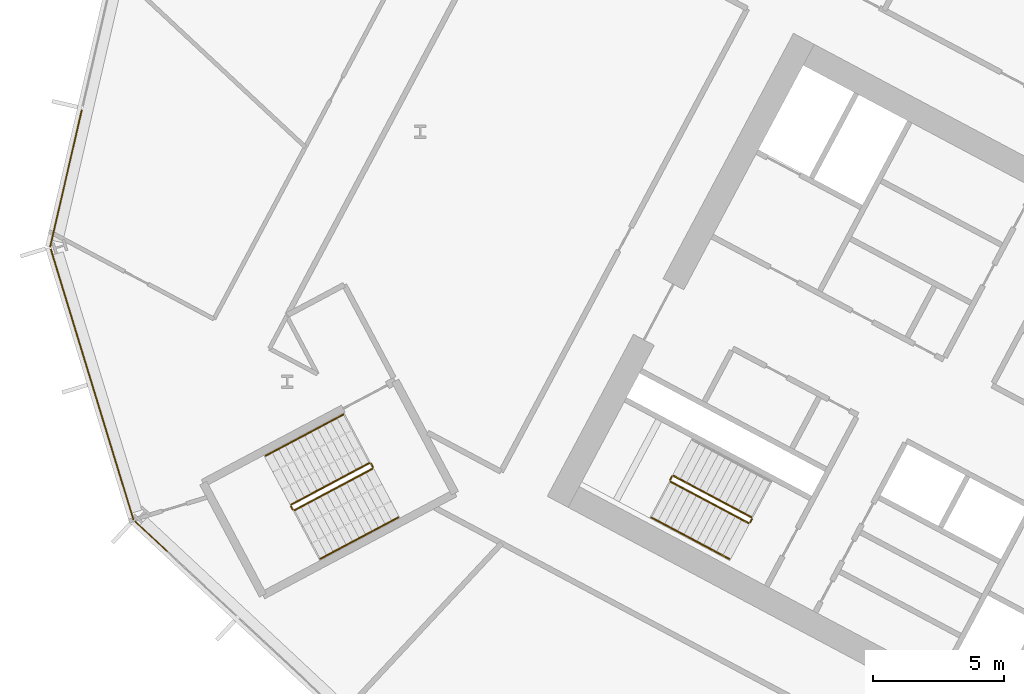
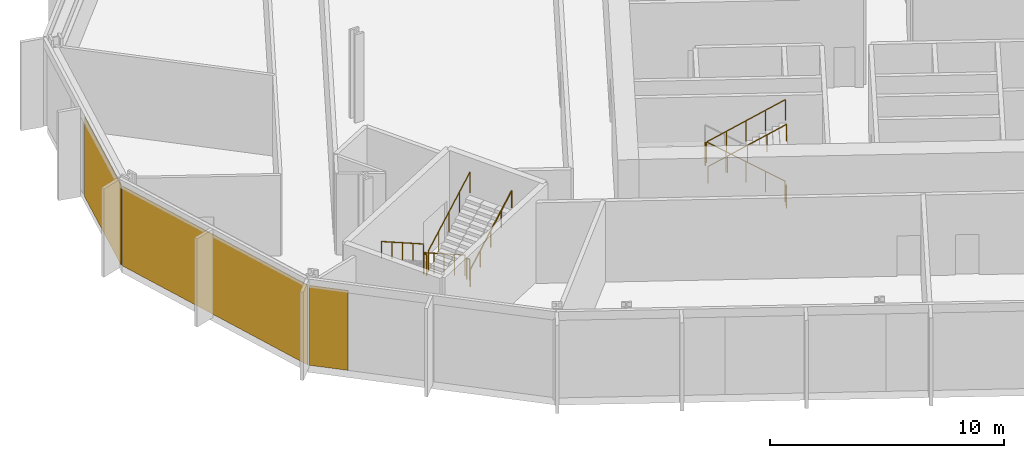
# One storey, part 23 of 32: 11 railings, 3 coverings, 3 elements without a shape of their own.
"""IFC4 building model written with IfcOpenShell, lengths in metres."""

from ifc_helpers import new_model, si_unit, direction, frame, origin, origin_2d, place, context, subcontext, project, spatial, polyline, rectangle, outline, extrude, material, layer, layer_set, type_object, element, aggregate, save


model = new_model("IFC4")

# Units and contexts
model_context = context("Model", 3, precision=1e-05, world=origin(), true_north=direction((0.0, 1.0)))
body_context = subcontext(model_context, "Body", "Model", "MODEL_VIEW")
ifc_project = project(units=[si_unit("LENGTHUNIT", "METRE"), si_unit("AREAUNIT", "SQUARE_METRE"), si_unit("VOLUMEUNIT", "CUBIC_METRE"), si_unit("PLANEANGLEUNIT", "RADIAN"), si_unit("MASSUNIT", "GRAM", prefix="KILO")], contexts=[model_context])

# Site, building, storey
site_placement = place(None, origin())
site = spatial("IfcSite", under=ifc_project, at=site_placement, CompositionType="ELEMENT")
building_placement = place(site_placement, origin())
building = spatial("IfcBuilding", under=site, at=building_placement, Name="Cormorant Relay Tower", CompositionType="ELEMENT")
storey_placement = place(building_placement, frame((0.0, 0.0, 70.800048828125)))
storey = spatial("IfcBuildingStorey", under=building, at=storey_placement, Name="L13", CompositionType="ELEMENT", Elevation=70.800048828125)

# Curtain wall, covering
ifc_material_1 = material(Name="Aluminium 6063-T6 anodised bronze", Category="aluminium")
ifc_layer_1 = layer(ifc_material_1, 0.199951171875)
ifc_layer_set_1 = layer_set([ifc_layer_1], Name="CW1 unitised bronze curtain wall with vertical fins")
curtain_wall_type = type_object("IfcCurtainWallType", Name="CW1 unitised bronze curtain wall with vertical fins", PredefinedType="NOTDEFINED", material=ifc_layer_set_1)
curtain_wall_1_placement = place(storey_placement, origin())
curtain_wall_1 = element("IfcCurtainWall", 1, at=curtain_wall_1_placement, inside=storey, type_object=curtain_wall_type, Name="CW1 curtain wall 11", PredefinedType="NOTDEFINED")
ifc_material_2 = material(Name="Pale bronze anodised aluminium insulated panel", Category="aluminium")
ifc_layer_2 = layer(ifc_material_2, 0.0400390625)
ifc_layer_set_2 = layer_set([ifc_layer_2], Name="CW1 pale bronze insulated panel 40")
covering_type = type_object("IfcCoveringType", Name="CW1 pale bronze insulated panel 40", PredefinedType="CLADDING", material=ifc_layer_set_2)
covering_1_placement = place(storey_placement, frame((-60.136474609375, 23.00927734375, 0.0), z_axis=(0.0, 0.0, 1.0), x_axis=(-0.224951054344, -0.974370064785, 0.0)))
covering_1 = element("IfcCovering", 2, at=covering_1_placement, type_object=covering_type, Name="CW1 panel S02", PredefinedType="CLADDING", context=body_context, shape_type="SweptSolid", body=[
    extrude(rectangle(XDim=5.360107421875, YDim=0.0400390625, at=origin_2d()), origin(), (0.0, 0.0, 1.0), 4.14990234375),
])
aggregate(curtain_wall_1, [covering_1])

curtain_wall_2_placement = place(storey_placement, origin())
curtain_wall_2 = element("IfcCurtainWall", 3, at=curtain_wall_2_placement, inside=storey, type_object=curtain_wall_type, Name="CW1 curtain wall 12", PredefinedType="NOTDEFINED")
covering_2_placement = place(storey_placement, frame((-59.138916015625, 15.15380859375, 0.0), z_axis=(0.0, 0.0, 1.0), x_axis=(0.292371704723, -0.956304755963, 0.0)))
covering_2 = element("IfcCovering", 4, at=covering_2_placement, type_object=covering_type, Name="CW1 panel S00", PredefinedType="CLADDING", context=body_context, shape_type="SweptSolid", body=[
    extrude(rectangle(XDim=10.79541015625, YDim=0.0400390625, at=origin_2d()), origin(), (0.0, 0.0, 1.0), 4.14990234375),
])
aggregate(curtain_wall_2, [covering_2])

curtain_wall_3_placement = place(storey_placement, origin())
curtain_wall_3 = element("IfcCurtainWall", 5, at=curtain_wall_3_placement, inside=storey, type_object=curtain_wall_type, Name="CW1 curtain wall 13", PredefinedType="NOTDEFINED")
covering_3_placement = place(storey_placement, frame((-56.88427734375, 9.357421875, 0.0), z_axis=(0.0, 0.0, 1.0), x_axis=(0.731353701619, -0.681998360062, 0.0)))
covering_3 = element("IfcCovering", 6, at=covering_3_placement, type_object=covering_type, Name="CW1 panel S00", PredefinedType="CLADDING", context=body_context, shape_type="SweptSolid", body=[
    extrude(rectangle(XDim=1.685302734375, YDim=0.0400390625, at=origin_2d()), origin(), (0.0, 0.0, 1.0), 4.14990234375),
])
aggregate(curtain_wall_3, [covering_3])

# Railings
ifc_material_3 = material(Name="Steel ASTM A572 Grade 50 (Fy 345 MPa)", Category="steel")
railing_type_1 = type_object("IfcRailingType", Name="Stair guard 1100", PredefinedType="GUARDRAIL", material=ifc_material_3)
railing_1_placement = place(storey_placement, frame((-33.9921875, 10.08935546875, 0.1767578125)))
element("IfcRailing", 7, at=railing_1_placement, inside=storey, type_object=railing_type_1, Name="L13 A2 stair guard 1", PredefinedType="GUARDRAIL", context=body_context, shape_type="SweptSolid", body=[
    extrude(outline(polyline([(0.022216796875, 0.00927734375), (0.00927734375, 0.022216796875), (-0.00927734375, 0.022216796875), (-0.022216796875, 0.00927734375), (-0.022216796875, -0.00927734375), (-0.00927734375, -0.022216796875), (0.00927734375, -0.022216796875), (0.022216796875, -0.00927734375), (0.022216796875, 0.00927734375)])), frame((0.0, 0.0, 1.076171875), z_axis=(-0.746416176936, 0.396856066424, 0.534198608526), x_axis=(-0.46945269911, -0.882957622595, 0.0)), (0.0, 0.0, 1.0), 3.974609375),
    extrude(outline(polyline([(0.019287109375, 0.008056640625), (0.008056640625, 0.019287109375), (-0.008056640625, 0.019287109375), (-0.019287109375, 0.008056640625), (-0.019287109375, -0.008056640625), (-0.008056640625, -0.019287109375), (0.008056640625, -0.019287109375), (0.019287109375, -0.008056640625), (0.019287109375, 0.008056640625)])), origin(), (0.0, 0.0, 1.0), 1.052001953125),
    extrude(outline(polyline([(0.019287109375, 0.008056640625), (0.008056640625, 0.019287109375), (-0.008056640625, 0.019287109375), (-0.019287109375, 0.008056640625), (-0.019287109375, -0.008056640625), (-0.008056640625, -0.019287109375), (0.008056640625, -0.019287109375), (0.019287109375, -0.008056640625), (0.019287109375, 0.008056640625)])), frame((-0.74169921875, 0.394287109375, 0.53076171875)), (0.0, 0.0, 1.0), 1.052001953125),
    extrude(outline(polyline([(0.019287109375, 0.008056640625), (0.008056640625, 0.019287109375), (-0.008056640625, 0.019287109375), (-0.019287109375, 0.008056640625), (-0.019287109375, -0.008056640625), (-0.008056640625, -0.019287109375), (0.008056640625, -0.019287109375), (0.019287109375, -0.008056640625), (0.019287109375, 0.008056640625)])), frame((-1.4833984375, 0.78857421875, 1.0615234375)), (0.0, 0.0, 1.0), 1.052001953125),
    extrude(outline(polyline([(0.019287109375, 0.008056640625), (0.008056640625, 0.019287109375), (-0.008056640625, 0.019287109375), (-0.019287109375, 0.008056640625), (-0.019287109375, -0.008056640625), (-0.008056640625, -0.019287109375), (0.008056640625, -0.019287109375), (0.019287109375, -0.008056640625), (0.019287109375, 0.008056640625)])), frame((-2.22509765625, 1.18310546875, 1.592529296875)), (0.0, 0.0, 1.0), 1.052001953125),
    extrude(outline(polyline([(0.019287109375, 0.008056640625), (0.008056640625, 0.019287109375), (-0.008056640625, 0.019287109375), (-0.019287109375, 0.008056640625), (-0.019287109375, -0.008056640625), (-0.008056640625, -0.019287109375), (0.008056640625, -0.019287109375), (0.019287109375, -0.008056640625), (0.019287109375, 0.008056640625)])), frame((-2.966796875, 1.577392578125, 2.123291015625)), (0.0, 0.0, 1.0), 1.052001953125),
])
railing_2_placement = place(storey_placement, frame((-37.026611328125, 11.64599609375, 2.300048828125)))
element("IfcRailing", 8, at=railing_2_placement, inside=storey, type_object=railing_type_1, Name="L13 A2 stair guard 2", PredefinedType="GUARDRAIL", context=body_context, shape_type="SweptSolid", body=[
    extrude(outline(polyline([(0.022216796875, 0.00927734375), (0.00927734375, 0.022216796875), (-0.00927734375, 0.022216796875), (-0.022216796875, 0.00927734375), (-0.022216796875, -0.00927734375), (-0.00927734375, -0.022216796875), (0.00927734375, -0.022216796875), (0.022216796875, -0.00927734375), (0.022216796875, 0.00927734375)])), frame((0.0, 0.0, 1.076171875), z_axis=(-0.469234640946, -0.883073525669, 0.0), x_axis=(0.883073525669, -0.469234640946, 0.0)), (0.0, 0.0, 1.0), 0.14990234375),
    extrude(outline(polyline([(0.019287109375, 0.008056640625), (0.008056640625, 0.019287109375), (-0.008056640625, 0.019287109375), (-0.019287109375, 0.008056640625), (-0.019287109375, -0.008056640625), (-0.008056640625, -0.019287109375), (0.008056640625, -0.019287109375), (0.019287109375, -0.008056640625), (0.019287109375, 0.008056640625)])), origin(), (0.0, 0.0, 1.0), 1.052001953125),
    extrude(outline(polyline([(0.019287109375, 0.008056640625), (0.008056640625, 0.019287109375), (-0.008056640625, 0.019287109375), (-0.019287109375, 0.008056640625), (-0.019287109375, -0.008056640625), (-0.008056640625, -0.019287109375), (0.008056640625, -0.019287109375), (0.019287109375, -0.008056640625), (0.019287109375, 0.008056640625)])), frame((-0.0703125, -0.13232421875, 0.0)), (0.0, 0.0, 1.0), 1.052001953125),
])
railing_3_placement = place(storey_placement, frame((-37.076171875, 11.446044921875, 2.476806640625)))
element("IfcRailing", 9, at=railing_3_placement, inside=storey, type_object=railing_type_1, Name="L13 A2 stair guard 3", PredefinedType="GUARDRAIL", context=body_context, shape_type="SweptSolid", body=[
    extrude(outline(polyline([(0.022216796875, 0.00927734375), (0.00927734375, 0.022216796875), (-0.00927734375, 0.022216796875), (-0.022216796875, 0.00927734375), (-0.022216796875, -0.00927734375), (-0.00927734375, -0.022216796875), (0.00927734375, -0.022216796875), (0.022216796875, -0.00927734375), (0.022216796875, 0.00927734375)])), frame((0.0, 0.0, 1.076171875), z_axis=(0.746413465702, -0.396887285154, 0.534179203172), x_axis=(0.469482818608, 0.88294160794, 0.0)), (0.0, 0.0, 1.0), 3.974365234375),
    extrude(outline(polyline([(0.019287109375, 0.008056640625), (0.008056640625, 0.019287109375), (-0.008056640625, 0.019287109375), (-0.019287109375, 0.008056640625), (-0.019287109375, -0.008056640625), (-0.008056640625, -0.019287109375), (0.008056640625, -0.019287109375), (0.019287109375, -0.008056640625), (0.019287109375, 0.008056640625)])), origin(), (0.0, 0.0, 1.0), 1.052001953125),
    extrude(outline(polyline([(0.019287109375, 0.008056640625), (0.008056640625, 0.019287109375), (-0.008056640625, 0.019287109375), (-0.019287109375, 0.008056640625), (-0.019287109375, -0.008056640625), (-0.008056640625, -0.019287109375), (0.008056640625, -0.019287109375), (0.019287109375, -0.008056640625), (0.019287109375, 0.008056640625)])), frame((0.74169921875, -0.394287109375, 0.53076171875)), (0.0, 0.0, 1.0), 1.052001953125),
    extrude(outline(polyline([(0.019287109375, 0.008056640625), (0.008056640625, 0.019287109375), (-0.008056640625, 0.019287109375), (-0.019287109375, 0.008056640625), (-0.019287109375, -0.008056640625), (-0.008056640625, -0.019287109375), (0.008056640625, -0.019287109375), (0.019287109375, -0.008056640625), (0.019287109375, 0.008056640625)])), frame((1.4833984375, -0.78857421875, 1.0615234375)), (0.0, 0.0, 1.0), 1.052001953125),
    extrude(outline(polyline([(0.019287109375, 0.008056640625), (0.008056640625, 0.019287109375), (-0.008056640625, 0.019287109375), (-0.019287109375, 0.008056640625), (-0.019287109375, -0.008056640625), (-0.008056640625, -0.019287109375), (0.008056640625, -0.019287109375), (0.019287109375, -0.008056640625), (0.019287109375, 0.008056640625)])), frame((2.224853515625, -1.18310546875, 1.59228515625)), (0.0, 0.0, 1.0), 1.052001953125),
    extrude(outline(polyline([(0.019287109375, 0.008056640625), (0.008056640625, 0.019287109375), (-0.008056640625, 0.019287109375), (-0.019287109375, 0.008056640625), (-0.019287109375, -0.008056640625), (-0.008056640625, -0.019287109375), (0.008056640625, -0.019287109375), (0.019287109375, -0.008056640625), (0.019287109375, 0.008056640625)])), frame((2.966552734375, -1.577392578125, 2.123046875)), (0.0, 0.0, 1.0), 1.052001953125),
])
railing_4_placement = place(storey_placement, frame((-33.971435546875, 10.021728515625, 0.0)))
element("IfcRailing", 10, at=railing_4_placement, inside=storey, type_object=railing_type_1, Name="L13 A2 stair guard 4", PredefinedType="GUARDRAIL", context=body_context, shape_type="SweptSolid", body=[
    extrude(outline(polyline([(0.022216796875, 0.00927734375), (0.00927734375, 0.022216796875), (-0.00927734375, 0.022216796875), (-0.022216796875, 0.00927734375), (-0.022216796875, -0.00927734375), (-0.00927734375, -0.022216796875), (0.00927734375, -0.022216796875), (0.022216796875, -0.00927734375), (0.022216796875, 0.00927734375)])), frame((0.0, 0.0, 1.076171875), z_axis=(-0.470503732759, -0.882398003998, 0.0), x_axis=(0.882398003998, -0.470503732759, 0.0)), (0.0, 0.0, 1.0), 0.14990234375),
    extrude(outline(polyline([(0.019287109375, 0.008056640625), (0.008056640625, 0.019287109375), (-0.008056640625, 0.019287109375), (-0.019287109375, 0.008056640625), (-0.019287109375, -0.008056640625), (-0.008056640625, -0.019287109375), (0.008056640625, -0.019287109375), (0.019287109375, -0.008056640625), (0.019287109375, 0.008056640625)])), origin(), (0.0, 0.0, 1.0), 1.052001953125),
    extrude(outline(polyline([(0.019287109375, 0.008056640625), (0.008056640625, 0.019287109375), (-0.008056640625, 0.019287109375), (-0.019287109375, 0.008056640625), (-0.019287109375, -0.008056640625), (-0.008056640625, -0.019287109375), (0.008056640625, -0.019287109375), (0.019287109375, -0.008056640625), (0.019287109375, 0.008056640625)])), frame((-0.070556640625, -0.13232421875, 0.0)), (0.0, 0.0, 1.0), 1.052001953125),
])
railing_5_placement = place(storey_placement, frame((-48.5693359375, 12.155517578125, 0.1767578125)))
element("IfcRailing", 11, at=railing_5_placement, inside=storey, type_object=railing_type_1, Name="L13 RP1 stair guard 1", PredefinedType="GUARDRAIL", context=body_context, shape_type="SweptSolid", body=[
    extrude(outline(polyline([(0.022216796875, 0.00927734375), (0.00927734375, 0.022216796875), (-0.00927734375, 0.022216796875), (-0.022216796875, 0.00927734375), (-0.022216796875, -0.00927734375), (-0.00927734375, -0.022216796875), (0.00927734375, -0.022216796875), (0.022216796875, -0.00927734375), (0.022216796875, 0.00927734375)])), frame((0.0, 0.0, 1.076171875), z_axis=(-0.74639798139, -0.396907814001, 0.534185586253), x_axis=(0.469509342547, -0.882927503967, 0.0)), (0.0, 0.0, 1.0), 3.974853515625),
    extrude(outline(polyline([(0.019287109375, 0.008056640625), (0.008056640625, 0.019287109375), (-0.008056640625, 0.019287109375), (-0.019287109375, 0.008056640625), (-0.019287109375, -0.008056640625), (-0.008056640625, -0.019287109375), (0.008056640625, -0.019287109375), (0.019287109375, -0.008056640625), (0.019287109375, 0.008056640625)])), origin(), (0.0, 0.0, 1.0), 1.052001953125),
    extrude(outline(polyline([(0.019287109375, 0.008056640625), (0.008056640625, 0.019287109375), (-0.008056640625, 0.019287109375), (-0.019287109375, 0.008056640625), (-0.019287109375, -0.008056640625), (-0.008056640625, -0.019287109375), (0.008056640625, -0.019287109375), (0.019287109375, -0.008056640625), (0.019287109375, 0.008056640625)])), frame((-0.74169921875, -0.39453125, 0.53076171875)), (0.0, 0.0, 1.0), 1.052001953125),
    extrude(outline(polyline([(0.019287109375, 0.008056640625), (0.008056640625, 0.019287109375), (-0.008056640625, 0.019287109375), (-0.019287109375, 0.008056640625), (-0.019287109375, -0.008056640625), (-0.008056640625, -0.019287109375), (0.008056640625, -0.019287109375), (0.019287109375, -0.008056640625), (0.019287109375, 0.008056640625)])), frame((-1.4833984375, -0.788818359375, 1.0615234375)), (0.0, 0.0, 1.0), 1.052001953125),
    extrude(outline(polyline([(0.019287109375, 0.008056640625), (0.008056640625, 0.019287109375), (-0.008056640625, 0.019287109375), (-0.019287109375, 0.008056640625), (-0.019287109375, -0.008056640625), (-0.008056640625, -0.019287109375), (0.008056640625, -0.019287109375), (0.019287109375, -0.008056640625), (0.019287109375, 0.008056640625)])), frame((-2.22509765625, -1.18310546875, 1.592529296875)), (0.0, 0.0, 1.0), 1.052001953125),
    extrude(outline(polyline([(0.019287109375, 0.008056640625), (0.008056640625, 0.019287109375), (-0.008056640625, 0.019287109375), (-0.019287109375, 0.008056640625), (-0.019287109375, -0.008056640625), (-0.008056640625, -0.019287109375), (0.008056640625, -0.019287109375), (0.019287109375, -0.008056640625), (0.019287109375, 0.008056640625)])), frame((-2.966796875, -1.57763671875, 2.123291015625)), (0.0, 0.0, 1.0), 1.052001953125),
])
railing_6_placement = place(storey_placement, frame((-51.556640625, 10.51025390625, 2.300048828125)))
element("IfcRailing", 12, at=railing_6_placement, inside=storey, type_object=railing_type_1, Name="L13 RP1 stair guard 2", PredefinedType="GUARDRAIL", context=body_context, shape_type="SweptSolid", body=[
    extrude(outline(polyline([(0.022216796875, 0.00927734375), (0.00927734375, 0.022216796875), (-0.00927734375, 0.022216796875), (-0.022216796875, 0.00927734375), (-0.022216796875, -0.00927734375), (-0.00927734375, -0.022216796875), (0.00927734375, -0.022216796875), (0.022216796875, -0.00927734375), (0.022216796875, 0.00927734375)])), frame((0.0, 0.0, 1.076171875), z_axis=(0.469234640946, -0.883073525669, 0.0), x_axis=(0.883073525669, 0.469234640946, 0.0)), (0.0, 0.0, 1.0), 0.14990234375),
    extrude(outline(polyline([(0.019287109375, 0.008056640625), (0.008056640625, 0.019287109375), (-0.008056640625, 0.019287109375), (-0.019287109375, 0.008056640625), (-0.019287109375, -0.008056640625), (-0.008056640625, -0.019287109375), (0.008056640625, -0.019287109375), (0.019287109375, -0.008056640625), (0.019287109375, 0.008056640625)])), origin(), (0.0, 0.0, 1.0), 1.052001953125),
    extrude(outline(polyline([(0.019287109375, 0.008056640625), (0.008056640625, 0.019287109375), (-0.008056640625, 0.019287109375), (-0.019287109375, 0.008056640625), (-0.019287109375, -0.008056640625), (-0.008056640625, -0.019287109375), (0.008056640625, -0.019287109375), (0.019287109375, -0.008056640625), (0.019287109375, 0.008056640625)])), frame((0.0703125, -0.13232421875, 0.0)), (0.0, 0.0, 1.0), 1.052001953125),
])
railing_7_placement = place(storey_placement, frame((-51.418701171875, 10.357177734375, 2.476806640625)))
element("IfcRailing", 13, at=railing_7_placement, inside=storey, type_object=railing_type_1, Name="L13 RP1 stair guard 3", PredefinedType="GUARDRAIL", context=body_context, shape_type="SweptSolid", body=[
    extrude(outline(polyline([(0.022216796875, 0.00927734375), (0.00927734375, 0.022216796875), (-0.00927734375, 0.022216796875), (-0.022216796875, 0.00927734375), (-0.022216796875, -0.00927734375), (-0.00927734375, -0.022216796875), (0.00927734375, -0.022216796875), (0.022216796875, -0.00927734375), (0.022216796875, 0.00927734375)])), frame((0.0, 0.0, 1.076171875), z_axis=(0.746440668329, 0.396869088057, 0.534154711306), x_axis=(-0.46945269911, 0.882957622595, 0.0)), (0.0, 0.0, 1.0), 3.974609375),
    extrude(outline(polyline([(0.019287109375, 0.008056640625), (0.008056640625, 0.019287109375), (-0.008056640625, 0.019287109375), (-0.019287109375, 0.008056640625), (-0.019287109375, -0.008056640625), (-0.008056640625, -0.019287109375), (0.008056640625, -0.019287109375), (0.019287109375, -0.008056640625), (0.019287109375, 0.008056640625)])), origin(), (0.0, 0.0, 1.0), 1.052001953125),
    extrude(outline(polyline([(0.019287109375, 0.008056640625), (0.008056640625, 0.019287109375), (-0.008056640625, 0.019287109375), (-0.019287109375, 0.008056640625), (-0.019287109375, -0.008056640625), (-0.008056640625, -0.019287109375), (0.008056640625, -0.019287109375), (0.019287109375, -0.008056640625), (0.019287109375, 0.008056640625)])), frame((0.74169921875, 0.394287109375, 0.53076171875)), (0.0, 0.0, 1.0), 1.052001953125),
    extrude(outline(polyline([(0.019287109375, 0.008056640625), (0.008056640625, 0.019287109375), (-0.008056640625, 0.019287109375), (-0.019287109375, 0.008056640625), (-0.019287109375, -0.008056640625), (-0.008056640625, -0.019287109375), (0.008056640625, -0.019287109375), (0.019287109375, -0.008056640625), (0.019287109375, 0.008056640625)])), frame((1.4833984375, 0.78857421875, 1.0615234375)), (0.0, 0.0, 1.0), 1.052001953125),
    extrude(outline(polyline([(0.019287109375, 0.008056640625), (0.008056640625, 0.019287109375), (-0.008056640625, 0.019287109375), (-0.019287109375, 0.008056640625), (-0.019287109375, -0.008056640625), (-0.008056640625, -0.019287109375), (0.008056640625, -0.019287109375), (0.019287109375, -0.008056640625), (0.019287109375, 0.008056640625)])), frame((2.22509765625, 1.18310546875, 1.59228515625)), (0.0, 0.0, 1.0), 1.052001953125),
    extrude(outline(polyline([(0.019287109375, 0.008056640625), (0.008056640625, 0.019287109375), (-0.008056640625, 0.019287109375), (-0.019287109375, 0.008056640625), (-0.019287109375, -0.008056640625), (-0.008056640625, -0.019287109375), (0.008056640625, -0.019287109375), (0.019287109375, -0.008056640625), (0.019287109375, 0.008056640625)])), frame((2.966796875, 1.577392578125, 2.123046875)), (0.0, 0.0, 1.0), 1.052001953125),
])
railing_8_placement = place(storey_placement, frame((-48.501708984375, 12.134765625, 0.0)))
element("IfcRailing", 14, at=railing_8_placement, inside=storey, type_object=railing_type_1, Name="L13 RP1 stair guard 4", PredefinedType="GUARDRAIL", context=body_context, shape_type="SweptSolid", body=[
    extrude(outline(polyline([(0.022216796875, 0.00927734375), (0.00927734375, 0.022216796875), (-0.00927734375, 0.022216796875), (-0.022216796875, 0.00927734375), (-0.022216796875, -0.00927734375), (-0.00927734375, -0.022216796875), (0.00927734375, -0.022216796875), (0.022216796875, -0.00927734375), (0.022216796875, 0.00927734375)])), frame((0.0, 0.0, 1.076171875), z_axis=(0.46856034887, -0.8834314911, 0.0), x_axis=(0.8834314911, 0.46856034887, 0.0)), (0.0, 0.0, 1.0), 0.150146484375),
    extrude(outline(polyline([(0.019287109375, 0.008056640625), (0.008056640625, 0.019287109375), (-0.008056640625, 0.019287109375), (-0.019287109375, 0.008056640625), (-0.019287109375, -0.008056640625), (-0.008056640625, -0.019287109375), (0.008056640625, -0.019287109375), (0.019287109375, -0.008056640625), (0.019287109375, 0.008056640625)])), origin(), (0.0, 0.0, 1.0), 1.052001953125),
    extrude(outline(polyline([(0.019287109375, 0.008056640625), (0.008056640625, 0.019287109375), (-0.008056640625, 0.019287109375), (-0.019287109375, 0.008056640625), (-0.019287109375, -0.008056640625), (-0.008056640625, -0.019287109375), (0.008056640625, -0.019287109375), (0.019287109375, -0.008056640625), (0.019287109375, 0.008056640625)])), frame((0.0703125, -0.132568359375, 0.0)), (0.0, 0.0, 1.0), 1.052001953125),
])
ifc_material_4 = material(Name="Steel ASTM A572 Grade 50 (Fy 345 MPa)", Category="steel")
railing_type_2 = type_object("IfcRailingType", Name="Stair handrail 900", PredefinedType="HANDRAIL", material=ifc_material_4)
railing_9_placement = place(storey_placement, frame((-37.803955078125, 10.077392578125, 2.476806640625)))
element("IfcRailing", 15, at=railing_9_placement, inside=storey, type_object=railing_type_2, Name="L13 A2 stair handrail 2", PredefinedType="HANDRAIL", context=body_context, shape_type="SweptSolid", body=[
    extrude(outline(polyline([(0.022216796875, 0.00927734375), (0.00927734375, 0.022216796875), (-0.00927734375, 0.022216796875), (-0.022216796875, 0.00927734375), (-0.022216796875, -0.00927734375), (-0.00927734375, -0.022216796875), (0.00927734375, -0.022216796875), (0.022216796875, -0.00927734375), (0.022216796875, 0.00927734375)])), frame((0.0, 0.0, 0.8759765625), z_axis=(0.746440668329, -0.396869088057, 0.534154711306), x_axis=(0.46945269911, 0.882957622595, 0.0)), (0.0, 0.0, 1.0), 3.974609375),
    extrude(outline(polyline([(0.019287109375, 0.008056640625), (0.008056640625, 0.019287109375), (-0.008056640625, 0.019287109375), (-0.019287109375, 0.008056640625), (-0.019287109375, -0.008056640625), (-0.008056640625, -0.019287109375), (0.008056640625, -0.019287109375), (0.019287109375, -0.008056640625), (0.019287109375, 0.008056640625)])), origin(), (0.0, 0.0, 1.0), 0.851806640625),
    extrude(outline(polyline([(0.019287109375, 0.008056640625), (0.008056640625, 0.019287109375), (-0.008056640625, 0.019287109375), (-0.019287109375, 0.008056640625), (-0.019287109375, -0.008056640625), (-0.008056640625, -0.019287109375), (0.008056640625, -0.019287109375), (0.019287109375, -0.008056640625), (0.019287109375, 0.008056640625)])), frame((0.74169921875, -0.394287109375, 0.53076171875)), (0.0, 0.0, 1.0), 0.851806640625),
    extrude(outline(polyline([(0.019287109375, 0.008056640625), (0.008056640625, 0.019287109375), (-0.008056640625, 0.019287109375), (-0.019287109375, 0.008056640625), (-0.019287109375, -0.008056640625), (-0.008056640625, -0.019287109375), (0.008056640625, -0.019287109375), (0.019287109375, -0.008056640625), (0.019287109375, 0.008056640625)])), frame((1.4833984375, -0.78857421875, 1.0615234375)), (0.0, 0.0, 1.0), 0.851806640625),
    extrude(outline(polyline([(0.019287109375, 0.008056640625), (0.008056640625, 0.019287109375), (-0.008056640625, 0.019287109375), (-0.019287109375, 0.008056640625), (-0.019287109375, -0.008056640625), (-0.008056640625, -0.019287109375), (0.008056640625, -0.019287109375), (0.019287109375, -0.008056640625), (0.019287109375, 0.008056640625)])), frame((2.22509765625, -1.18310546875, 1.59228515625)), (0.0, 0.0, 1.0), 0.851806640625),
    extrude(outline(polyline([(0.019287109375, 0.008056640625), (0.008056640625, 0.019287109375), (-0.008056640625, 0.019287109375), (-0.019287109375, 0.008056640625), (-0.019287109375, -0.008056640625), (-0.008056640625, -0.019287109375), (0.008056640625, -0.019287109375), (0.019287109375, -0.008056640625), (0.019287109375, 0.008056640625)])), frame((2.966796875, -1.577392578125, 2.123046875)), (0.0, 0.0, 1.0), 0.851806640625),
])
railing_10_placement = place(storey_placement, frame((-49.55517578125, 14.009521484375, 0.1767578125)))
element("IfcRailing", 16, at=railing_10_placement, inside=storey, type_object=railing_type_2, Name="L13 RP1 stair handrail 1", PredefinedType="HANDRAIL", context=body_context, shape_type="SweptSolid", body=[
    extrude(outline(polyline([(0.022216796875, 0.00927734375), (0.00927734375, 0.022216796875), (-0.00927734375, 0.022216796875), (-0.022216796875, 0.00927734375), (-0.022216796875, -0.00927734375), (-0.00927734375, -0.022216796875), (0.00927734375, -0.022216796875), (0.022216796875, -0.00927734375), (0.022216796875, 0.00927734375)])), frame((0.0, 0.0, 0.8759765625), z_axis=(-0.746416176936, -0.396856066424, 0.534198608526), x_axis=(0.46945269911, -0.882957622595, 0.0)), (0.0, 0.0, 1.0), 3.974609375),
    extrude(outline(polyline([(0.019287109375, 0.008056640625), (0.008056640625, 0.019287109375), (-0.008056640625, 0.019287109375), (-0.019287109375, 0.008056640625), (-0.019287109375, -0.008056640625), (-0.008056640625, -0.019287109375), (0.008056640625, -0.019287109375), (0.019287109375, -0.008056640625), (0.019287109375, 0.008056640625)])), origin(), (0.0, 0.0, 1.0), 0.851806640625),
    extrude(outline(polyline([(0.019287109375, 0.008056640625), (0.008056640625, 0.019287109375), (-0.008056640625, 0.019287109375), (-0.019287109375, 0.008056640625), (-0.019287109375, -0.008056640625), (-0.008056640625, -0.019287109375), (0.008056640625, -0.019287109375), (0.019287109375, -0.008056640625), (0.019287109375, 0.008056640625)])), frame((-0.74169921875, -0.394287109375, 0.53076171875)), (0.0, 0.0, 1.0), 0.851806640625),
    extrude(outline(polyline([(0.019287109375, 0.008056640625), (0.008056640625, 0.019287109375), (-0.008056640625, 0.019287109375), (-0.019287109375, 0.008056640625), (-0.019287109375, -0.008056640625), (-0.008056640625, -0.019287109375), (0.008056640625, -0.019287109375), (0.019287109375, -0.008056640625), (0.019287109375, 0.008056640625)])), frame((-1.4833984375, -0.78857421875, 1.0615234375)), (0.0, 0.0, 1.0), 0.851806640625),
    extrude(outline(polyline([(0.019287109375, 0.008056640625), (0.008056640625, 0.019287109375), (-0.008056640625, 0.019287109375), (-0.019287109375, 0.008056640625), (-0.019287109375, -0.008056640625), (-0.008056640625, -0.019287109375), (0.008056640625, -0.019287109375), (0.019287109375, -0.008056640625), (0.019287109375, 0.008056640625)])), frame((-2.22509765625, -1.18310546875, 1.592529296875)), (0.0, 0.0, 1.0), 0.851806640625),
    extrude(outline(polyline([(0.019287109375, 0.008056640625), (0.008056640625, 0.019287109375), (-0.008056640625, 0.019287109375), (-0.019287109375, 0.008056640625), (-0.019287109375, -0.008056640625), (-0.008056640625, -0.019287109375), (0.008056640625, -0.019287109375), (0.019287109375, -0.008056640625), (0.019287109375, 0.008056640625)])), frame((-2.966796875, -1.577392578125, 2.123291015625)), (0.0, 0.0, 1.0), 0.851806640625),
])
railing_11_placement = place(storey_placement, frame((-50.432861328125, 8.503173828125, 2.476806640625)))
element("IfcRailing", 17, at=railing_11_placement, inside=storey, type_object=railing_type_2, Name="L13 RP1 stair handrail 2", PredefinedType="HANDRAIL", context=body_context, shape_type="SweptSolid", body=[
    extrude(outline(polyline([(0.022216796875, 0.00927734375), (0.00927734375, 0.022216796875), (-0.00927734375, 0.022216796875), (-0.022216796875, 0.00927734375), (-0.022216796875, -0.00927734375), (-0.00927734375, -0.022216796875), (0.00927734375, -0.022216796875), (0.022216796875, -0.00927734375), (0.022216796875, 0.00927734375)])), frame((0.0, 0.0, 0.8759765625), z_axis=(0.746440668329, 0.396869088057, 0.534154711306), x_axis=(-0.46945269911, 0.882957622595, 0.0)), (0.0, 0.0, 1.0), 3.974609375),
    extrude(outline(polyline([(0.019287109375, 0.008056640625), (0.008056640625, 0.019287109375), (-0.008056640625, 0.019287109375), (-0.019287109375, 0.008056640625), (-0.019287109375, -0.008056640625), (-0.008056640625, -0.019287109375), (0.008056640625, -0.019287109375), (0.019287109375, -0.008056640625), (0.019287109375, 0.008056640625)])), origin(), (0.0, 0.0, 1.0), 0.851806640625),
    extrude(outline(polyline([(0.019287109375, 0.008056640625), (0.008056640625, 0.019287109375), (-0.008056640625, 0.019287109375), (-0.019287109375, 0.008056640625), (-0.019287109375, -0.008056640625), (-0.008056640625, -0.019287109375), (0.008056640625, -0.019287109375), (0.019287109375, -0.008056640625), (0.019287109375, 0.008056640625)])), frame((0.74169921875, 0.394287109375, 0.53076171875)), (0.0, 0.0, 1.0), 0.851806640625),
    extrude(outline(polyline([(0.019287109375, 0.008056640625), (0.008056640625, 0.019287109375), (-0.008056640625, 0.019287109375), (-0.019287109375, 0.008056640625), (-0.019287109375, -0.008056640625), (-0.008056640625, -0.019287109375), (0.008056640625, -0.019287109375), (0.019287109375, -0.008056640625), (0.019287109375, 0.008056640625)])), frame((1.4833984375, 0.78857421875, 1.0615234375)), (0.0, 0.0, 1.0), 0.851806640625),
    extrude(outline(polyline([(0.019287109375, 0.008056640625), (0.008056640625, 0.019287109375), (-0.008056640625, 0.019287109375), (-0.019287109375, 0.008056640625), (-0.019287109375, -0.008056640625), (-0.008056640625, -0.019287109375), (0.008056640625, -0.019287109375), (0.019287109375, -0.008056640625), (0.019287109375, 0.008056640625)])), frame((2.22509765625, 1.18310546875, 1.59228515625)), (0.0, 0.0, 1.0), 0.851806640625),
    extrude(outline(polyline([(0.019287109375, 0.008056640625), (0.008056640625, 0.019287109375), (-0.008056640625, 0.019287109375), (-0.019287109375, 0.008056640625), (-0.019287109375, -0.008056640625), (-0.008056640625, -0.019287109375), (0.008056640625, -0.019287109375), (0.019287109375, -0.008056640625), (0.019287109375, 0.008056640625)])), frame((2.966796875, 1.577392578125, 2.123046875)), (0.0, 0.0, 1.0), 0.851806640625),
])

save(model, "model.ifc")
